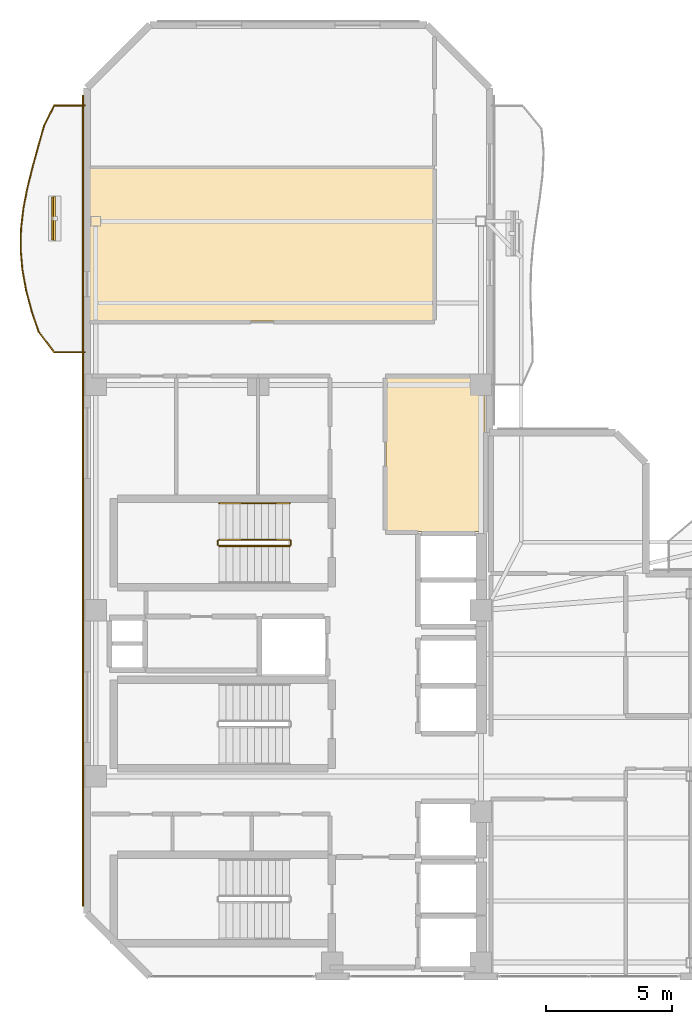
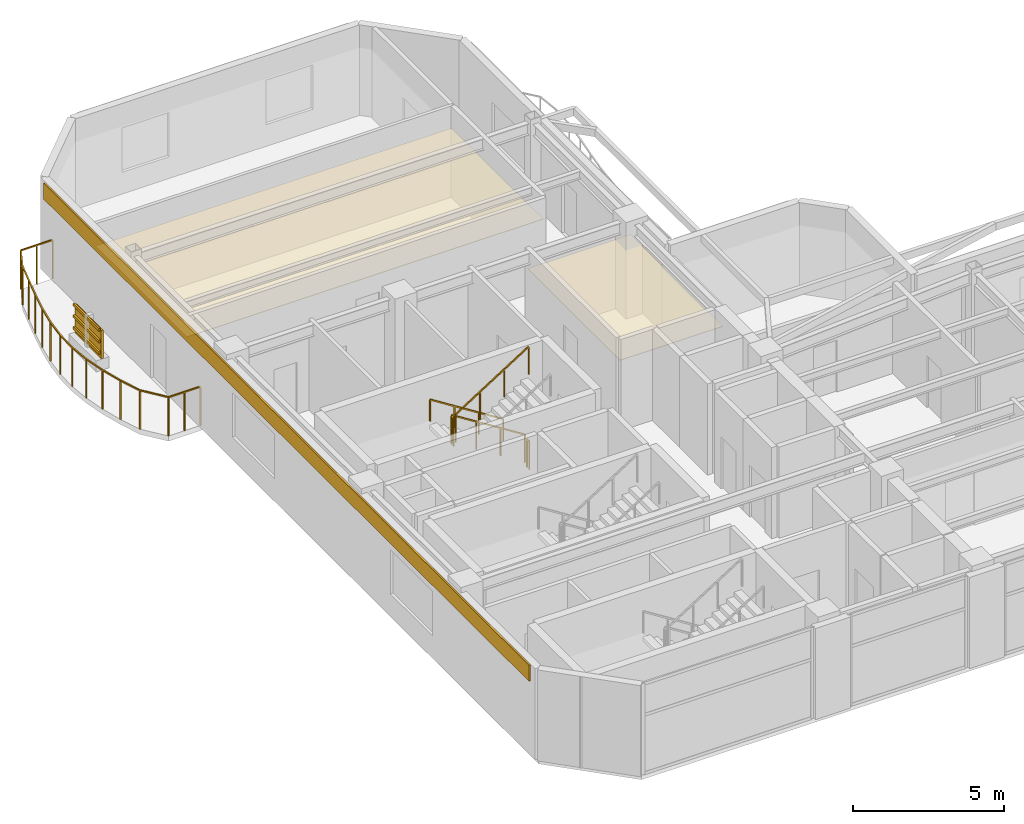
# One storey, part 14 of 15: 6 railings, 4 shading devices, 3 coverings.
"""IFC4 building model written with IfcOpenShell, lengths in metres."""

from ifc_helpers import new_model, si_unit, direction, frame, origin, origin_2d, place, context, subcontext, project, spatial, polyline, rectangle, outline, extrude, material, layer, layer_set, material_profile, profile_set, type_object, element, save


model = new_model("IFC4")

# Units and contexts
model_context = context("Model", 3, precision=1e-05, world=origin(), true_north=direction((0.0, 1.0)))
body_context = subcontext(model_context, "Body", "Model", "MODEL_VIEW")
ifc_project = project(units=[si_unit("LENGTHUNIT", "METRE"), si_unit("AREAUNIT", "SQUARE_METRE"), si_unit("VOLUMEUNIT", "CUBIC_METRE"), si_unit("PLANEANGLEUNIT", "RADIAN"), si_unit("MASSUNIT", "GRAM", prefix="KILO")], contexts=[model_context])

# Site, building, storey
site_placement = place(None, origin())
site = spatial("IfcSite", under=ifc_project, at=site_placement, CompositionType="ELEMENT")
building_placement = place(site_placement, origin())
building = spatial("IfcBuilding", under=site, at=building_placement, Name="Mawjaban Terraces University", CompositionType="ELEMENT")
storey_placement = place(building_placement, frame((0.0, 0.0, 279.39990234375)))
storey = spatial("IfcBuildingStorey", under=building, at=storey_placement, Name="L68", CompositionType="ELEMENT", Elevation=279.39990234375)

# Coverings
ifc_material_1 = material(Name="Acoustic mineral fibre ceiling tile", Category="masonry")
ifc_layer_1 = layer(ifc_material_1, 0.02001953125)
ifc_layer_set_1 = layer_set([ifc_layer_1], Name="Acoustic mineral fibre ceiling tile")
covering_type_1 = type_object("IfcCoveringType", Name="AcousticMineralCeiling_20", PredefinedType="CEILING", material=ifc_layer_set_1)
covering_1_placement = place(storey_placement, frame((0.0, 0.0, 2.75)))
element("IfcCovering", 1, at=covering_1_placement, inside=storey, type_object=covering_type_1, Name="L68 Graduate Research Collaboration Studio Acoustic Ceiling", PredefinedType="CEILING", context=body_context, shape_type="SweptSolid", body=[
    extrude(outline(polyline([(37.820068359375, 17.679931640625), (37.820068359375, 23.820068359375), (33.8798828125, 23.820068359375), (33.8798828125, 17.679931640625), (37.820068359375, 17.679931640625)])), origin(), (0.0, 0.0, 1.0), 0.02001953125),
])
covering_2_placement = place(storey_placement, frame((0.0, 0.0, 2.75)))
element("IfcCovering", 2, at=covering_2_placement, inside=storey, type_object=covering_type_1, Name="L68 Departmental Office 12 Acoustic Ceiling", PredefinedType="CEILING", context=body_context, shape_type="SweptSolid", body=[
    extrude(outline(polyline([(22.114990234375, 32.10595703125), (22.114990234375, 26.030029296875), (35.77001953125, 26.030029296875), (35.77001953125, 32.10595703125), (22.114990234375, 32.10595703125)])), origin(), (0.0, 0.0, 1.0), 0.02001953125),
])

# Railings
ifc_material_2 = material(Name="Galvanised powder-coated steel S355", Category="steel")
railing_type_1 = type_object("IfcRailingType", Name="BalconyBalustrade_1600", PredefinedType="BALUSTRADE", material=ifc_material_2)
railing_1_placement = place(storey_placement, frame((21.919921875, 24.800048828125, 0.0)))
element("IfcRailing", 3, at=railing_1_placement, inside=storey, type_object=railing_type_1, Name="L68 Balcony Guardrail west", PredefinedType="BALUSTRADE", context=body_context, shape_type="SweptSolid", body=[
    extrude(rectangle(XDim=0.048095703125, YDim=0.048095703125, at=origin_2d()), frame((0.0, 0.0, 1.576171875), z_axis=(-1.0, 0.0, 0.0), x_axis=(0.0, -1.0, 0.0)), (0.0, 0.0, 1.0), 1.219970703125),
    extrude(rectangle(XDim=0.048095703125, YDim=0.048095703125, at=origin_2d()), frame((-1.219970703125, 0.0, 1.576171875), z_axis=(-0.607643916951, 0.794209588328, 0.0), x_axis=(-0.794209588328, -0.607643916951, 0.0)), (0.0, 0.0, 1.0), 1.028564453125),
    extrude(rectangle(XDim=0.048095703125, YDim=0.048095703125, at=origin_2d()), frame((-1.844970703125, 0.81689453125, 1.576171875), z_axis=(-0.319202789652, 0.947686434998, 0.0), x_axis=(-0.947686434998, -0.319202789652, 0.0)), (0.0, 0.0, 1.0), 0.861328125),
    extrude(rectangle(XDim=0.048095703125, YDim=0.048095703125, at=origin_2d()), frame((-2.119873046875, 1.633056640625, 1.576171875), z_axis=(-0.254621331748, 0.967040835445, 0.0), x_axis=(-0.967040835445, -0.254621331748, 0.0)), (0.0, 0.0, 1.0), 0.8447265625),
    extrude(rectangle(XDim=0.048095703125, YDim=0.048095703125, at=origin_2d()), frame((-2.3349609375, 2.449951171875, 1.576171875), z_axis=(-0.179351143094, 0.983785122611, 0.0), x_axis=(-0.983785122611, -0.179351143094, 0.0)), (0.0, 0.0, 1.0), 0.830322265625),
    extrude(rectangle(XDim=0.048095703125, YDim=0.048095703125, at=origin_2d()), frame((-2.48388671875, 3.266845703125, 1.576171875), z_axis=(-0.084352789258, 0.996435952254, 0.0), x_axis=(-0.996435952254, -0.084352789258, 0.0)), (0.0, 0.0, 1.0), 0.819091796875),
    extrude(rectangle(XDim=0.048095703125, YDim=0.048095703125, at=origin_2d()), frame((-2.552978515625, 4.0830078125, 1.576171875), z_axis=(0.017331526681, 0.999849797811, 0.0), x_axis=(-0.999849797811, 0.017331526681, 0.0)), (0.0, 0.0, 1.0), 0.817138671875),
    extrude(rectangle(XDim=0.048095703125, YDim=0.048095703125, at=origin_2d()), frame((-2.538818359375, 4.89990234375, 1.576171875), z_axis=(0.115446380199, 0.993313713435, 0.0), x_axis=(-0.993313713435, 0.115446380199, 0.0)), (0.0, 0.0, 1.0), 0.82275390625),
    extrude(rectangle(XDim=0.048095703125, YDim=0.048095703125, at=origin_2d()), frame((-2.44384765625, 5.717041015625, 1.576171875), z_axis=(0.191199817075, 0.981551134659, 0.0), x_axis=(-0.981551134659, 0.191199817075, 0.0)), (0.0, 0.0, 1.0), 0.831298828125),
    extrude(rectangle(XDim=0.048095703125, YDim=0.048095703125, at=origin_2d()), frame((-2.284912109375, 6.532958984375, 1.576171875), z_axis=(0.24239917503, 0.970176602452, 0.0), x_axis=(-0.970176602452, 0.24239917503, 0.0)), (0.0, 0.0, 1.0), 0.842041015625),
    extrude(rectangle(XDim=0.048095703125, YDim=0.048095703125, at=origin_2d()), frame((-2.080810546875, 7.349853515625, 1.576171875), z_axis=(0.265310472902, 0.964163032359, 0.0), x_axis=(-0.964163032359, 0.265310472902, 0.0)), (0.0, 0.0, 1.0), 0.847412109375),
    extrude(rectangle(XDim=0.048095703125, YDim=0.048095703125, at=origin_2d()), frame((-1.85595703125, 8.1669921875, 1.576171875), z_axis=(0.270228279677, 0.962796280042, 0.0), x_axis=(-0.962796280042, 0.270228279677, 0.0)), (0.0, 0.0, 1.0), 0.847412109375),
    extrude(rectangle(XDim=0.048095703125, YDim=0.048095703125, at=origin_2d()), frame((-1.626953125, 8.98291015625, 1.576171875), z_axis=(0.445822367278, 0.895121453678, 0.0), x_axis=(-0.895121453678, 0.445822367278, 0.0)), (0.0, 0.0, 1.0), 0.912841796875),
    extrude(rectangle(XDim=0.048095703125, YDim=0.048095703125, at=origin_2d()), frame((-1.219970703125, 9.800048828125, 1.576171875), z_axis=(1.0, 0.0, 0.0), x_axis=(0.0, 1.0, 0.0)), (0.0, 0.0, 1.0), 1.219970703125),
    extrude(rectangle(XDim=0.0419921875, YDim=0.0419921875, at=origin_2d()), origin(), (0.0, 0.0, 1.0), 1.552001953125),
    extrude(rectangle(XDim=0.0419921875, YDim=0.0419921875, at=origin_2d()), frame((-0.60986328125, 0.0, 0.0)), (0.0, 0.0, 1.0), 1.552001953125),
    extrude(rectangle(XDim=0.0419921875, YDim=0.0419921875, at=origin_2d()), frame((-1.219970703125, 0.0, 0.0)), (0.0, 0.0, 1.0), 1.552001953125),
    extrude(rectangle(XDim=0.0419921875, YDim=0.0419921875, at=origin_2d()), frame((-1.844970703125, 0.81689453125, 0.0)), (0.0, 0.0, 1.0), 1.552001953125),
    extrude(rectangle(XDim=0.0419921875, YDim=0.0419921875, at=origin_2d()), frame((-2.119873046875, 1.633056640625, 0.0)), (0.0, 0.0, 1.0), 1.552001953125),
    extrude(rectangle(XDim=0.0419921875, YDim=0.0419921875, at=origin_2d()), frame((-2.3349609375, 2.449951171875, 0.0)), (0.0, 0.0, 1.0), 1.552001953125),
    extrude(rectangle(XDim=0.0419921875, YDim=0.0419921875, at=origin_2d()), frame((-2.48388671875, 3.266845703125, 0.0)), (0.0, 0.0, 1.0), 1.552001953125),
    extrude(rectangle(XDim=0.0419921875, YDim=0.0419921875, at=origin_2d()), frame((-2.552978515625, 4.0830078125, 0.0)), (0.0, 0.0, 1.0), 1.552001953125),
    extrude(rectangle(XDim=0.0419921875, YDim=0.0419921875, at=origin_2d()), frame((-2.538818359375, 4.89990234375, 0.0)), (0.0, 0.0, 1.0), 1.552001953125),
    extrude(rectangle(XDim=0.0419921875, YDim=0.0419921875, at=origin_2d()), frame((-2.44384765625, 5.717041015625, 0.0)), (0.0, 0.0, 1.0), 1.552001953125),
    extrude(rectangle(XDim=0.0419921875, YDim=0.0419921875, at=origin_2d()), frame((-2.284912109375, 6.532958984375, 0.0)), (0.0, 0.0, 1.0), 1.552001953125),
    extrude(rectangle(XDim=0.0419921875, YDim=0.0419921875, at=origin_2d()), frame((-2.080810546875, 7.349853515625, 0.0)), (0.0, 0.0, 1.0), 1.552001953125),
    extrude(rectangle(XDim=0.0419921875, YDim=0.0419921875, at=origin_2d()), frame((-1.85595703125, 8.1669921875, 0.0)), (0.0, 0.0, 1.0), 1.552001953125),
    extrude(rectangle(XDim=0.0419921875, YDim=0.0419921875, at=origin_2d()), frame((-1.626953125, 8.98291015625, 0.0)), (0.0, 0.0, 1.0), 1.552001953125),
    extrude(rectangle(XDim=0.0419921875, YDim=0.0419921875, at=origin_2d()), frame((-1.219970703125, 9.800048828125, 0.0)), (0.0, 0.0, 1.0), 1.552001953125),
    extrude(rectangle(XDim=0.0419921875, YDim=0.0419921875, at=origin_2d()), frame((-0.60986328125, 9.800048828125, 0.0)), (0.0, 0.0, 1.0), 1.552001953125),
    extrude(rectangle(XDim=0.0419921875, YDim=0.0419921875, at=origin_2d()), frame((0.0, 9.800048828125, 0.0)), (0.0, 0.0, 1.0), 1.552001953125),
])
ifc_material_3 = material(Name="Brushed stainless steel 316", Category="steel")
railing_type_2 = type_object("IfcRailingType", Name="StairWallHandrail_900", PredefinedType="HANDRAIL", material=ifc_material_3)
railing_2_placement = place(storey_placement, frame((30.050048828125, 18.800048828125, 0.177490234375)))
element("IfcRailing", 4, at=railing_2_placement, inside=storey, type_object=railing_type_2, Name="L68 ST-2 stair handrail 1", PredefinedType="HANDRAIL", context=body_context, shape_type="SweptSolid", body=[
    extrude(rectangle(XDim=0.048095703125, YDim=0.048095703125, at=origin_2d()), frame((0.0, 0.0, 0.8759765625), z_axis=(-0.844908973607, 0.0, 0.534910110503), x_axis=(0.0, -1.0, 0.0)), (0.0, 0.0, 1.0), 3.31396484375),
    extrude(rectangle(XDim=0.0419921875, YDim=0.0419921875, at=origin_2d()), origin(), (0.0, 0.0, 1.0), 0.851806640625),
    extrude(rectangle(XDim=0.0419921875, YDim=0.0419921875, at=origin_2d()), frame((-0.933349609375, 0.0, 0.5908203125)), (0.0, 0.0, 1.0), 0.851806640625),
    extrude(rectangle(XDim=0.0419921875, YDim=0.0419921875, at=origin_2d()), frame((-1.86669921875, 0.0, 1.181884765625)), (0.0, 0.0, 1.0), 0.851806640625),
    extrude(rectangle(XDim=0.0419921875, YDim=0.0419921875, at=origin_2d()), frame((-2.800048828125, 0.0, 1.772705078125)), (0.0, 0.0, 1.0), 0.851806640625),
])
ifc_material_4 = material(Name="Galvanised painted steel S355", Category="steel")
railing_type_3 = type_object("IfcRailingType", Name="StairWellGuard_1150", PredefinedType="BALUSTRADE", material=ifc_material_4)
railing_3_placement = place(storey_placement, frame((30.050048828125, 17.35009765625, 0.177490234375)))
element("IfcRailing", 5, at=railing_3_placement, inside=storey, type_object=railing_type_3, Name="L68 ST-2 stair guard 1", PredefinedType="BALUSTRADE", context=body_context, shape_type="SweptSolid", body=[
    extrude(rectangle(XDim=0.048095703125, YDim=0.048095703125, at=origin_2d()), frame((0.0, 0.0, 1.1259765625), z_axis=(-0.844908973607, 0.0, 0.534910110503), x_axis=(0.0, -1.0, 0.0)), (0.0, 0.0, 1.0), 3.31396484375),
    extrude(rectangle(XDim=0.0419921875, YDim=0.0419921875, at=origin_2d()), origin(), (0.0, 0.0, 1.0), 1.101806640625),
    extrude(rectangle(XDim=0.0419921875, YDim=0.0419921875, at=origin_2d()), frame((-0.933349609375, 0.0, 0.5908203125)), (0.0, 0.0, 1.0), 1.101806640625),
    extrude(rectangle(XDim=0.0419921875, YDim=0.0419921875, at=origin_2d()), frame((-1.86669921875, 0.0, 1.181884765625)), (0.0, 0.0, 1.0), 1.101806640625),
    extrude(rectangle(XDim=0.0419921875, YDim=0.0419921875, at=origin_2d()), frame((-2.800048828125, 0.0, 1.772705078125)), (0.0, 0.0, 1.0), 1.101806640625),
])
railing_4_placement = place(storey_placement, frame((27.199951171875, 17.300048828125, 1.9501953125)))
element("IfcRailing", 6, at=railing_4_placement, inside=storey, type_object=railing_type_3, Name="L68 ST-2 stair guard 2", PredefinedType="BALUSTRADE", context=body_context, shape_type="SweptSolid", body=[
    extrude(rectangle(XDim=0.048095703125, YDim=0.048095703125, at=origin_2d()), frame((0.0, 0.0, 1.1259765625), z_axis=(0.0, -1.0, 0.0), x_axis=(1.0, 0.0, 0.0)), (0.0, 0.0, 1.0), 0.150146484375),
    extrude(rectangle(XDim=0.0419921875, YDim=0.0419921875, at=origin_2d()), origin(), (0.0, 0.0, 1.0), 1.101806640625),
    extrude(rectangle(XDim=0.0419921875, YDim=0.0419921875, at=origin_2d()), frame((0.0, -0.150146484375, 0.0)), (0.0, 0.0, 1.0), 1.101806640625),
])
railing_5_placement = place(storey_placement, frame((27.25, 17.10009765625, 2.12744140625)))
element("IfcRailing", 7, at=railing_5_placement, inside=storey, type_object=railing_type_3, Name="L68 ST-2 stair guard 3", PredefinedType="BALUSTRADE", context=body_context, shape_type="SweptSolid", body=[
    extrude(rectangle(XDim=0.048095703125, YDim=0.048095703125, at=origin_2d()), frame((0.0, 0.0, 1.1259765625), z_axis=(0.844908973607, 0.0, 0.534910110503), x_axis=(0.0, 1.0, 0.0)), (0.0, 0.0, 1.0), 3.31396484375),
    extrude(rectangle(XDim=0.0419921875, YDim=0.0419921875, at=origin_2d()), origin(), (0.0, 0.0, 1.0), 1.101806640625),
    extrude(rectangle(XDim=0.0419921875, YDim=0.0419921875, at=origin_2d()), frame((0.933349609375, 0.0, 0.5908203125)), (0.0, 0.0, 1.0), 1.101806640625),
    extrude(rectangle(XDim=0.0419921875, YDim=0.0419921875, at=origin_2d()), frame((1.86669921875, 0.0, 1.181884765625)), (0.0, 0.0, 1.0), 1.101806640625),
    extrude(rectangle(XDim=0.0419921875, YDim=0.0419921875, at=origin_2d()), frame((2.800048828125, 0.0, 1.772705078125)), (0.0, 0.0, 1.0), 1.101806640625),
])
railing_6_placement = place(storey_placement, frame((30.10009765625, 17.300048828125, 0.0)))
element("IfcRailing", 8, at=railing_6_placement, inside=storey, type_object=railing_type_3, Name="L68 ST-2 stair guard 4", PredefinedType="BALUSTRADE", context=body_context, shape_type="SweptSolid", body=[
    extrude(rectangle(XDim=0.048095703125, YDim=0.048095703125, at=origin_2d()), frame((0.0, 0.0, 1.1259765625), z_axis=(0.0, -1.0, 0.0), x_axis=(1.0, 0.0, 0.0)), (0.0, 0.0, 1.0), 0.150146484375),
    extrude(rectangle(XDim=0.0419921875, YDim=0.0419921875, at=origin_2d()), origin(), (0.0, 0.0, 1.0), 1.101806640625),
    extrude(rectangle(XDim=0.0419921875, YDim=0.0419921875, at=origin_2d()), frame((0.0, -0.150146484375, 0.0)), (0.0, 0.0, 1.0), 1.101806640625),
])

# Shading devices
ifc_material_5 = material(Name="Glazed architectural terracotta ceramic", Category="masonry")
ifc_material_profile = material_profile(ifc_material_5, rectangle(XDim=0.06494140625, YDim=0.110107421875, at=origin_2d()), Name="TBAG110X65")
ifc_profile_set = profile_set([ifc_material_profile], Name="Glazed architectural terracotta ceramic")
shading_device_type_1 = type_object("IfcShadingDeviceType", Name="TerracottaBaguette_110x65", PredefinedType="USERDEFINED", material=ifc_profile_set)
for number, where, z_axis, x_axis, name in (
    (9, (20.634033203125, 29.258056640625, 0.68017578125), (0.0, 1.0, 0.0), (-1.0, 0.0, 0.0), "L68 Horizontal Terracotta Baguette west.1"),
    (10, (20.634033203125, 29.258056640625, 1.150146484375), (0.0, 1.0, 0.0), (-1.0, 0.0, 0.0), "L68 Horizontal Terracotta Baguette west.2"),
    (11, (20.634033203125, 29.258056640625, 1.6201171875), (0.0, 1.0, 0.0), (-1.0, 0.0, 0.0), "L68 Horizontal Terracotta Baguette west.3"),
):
    element("IfcShadingDevice", number, at=place(storey_placement, frame(where, z_axis=z_axis, x_axis=x_axis)), inside=storey, type_object=shading_device_type_1, Name=name, ObjectType="BAGUETTE", PredefinedType="USERDEFINED", context=body_context, shape_type="SweptSolid", body=[
        extrude(rectangle(XDim=0.06494140625, YDim=0.110107421875, at=origin_2d()), origin(), (0.0, 0.0, 1.0), 1.699951171875),
    ])
ifc_layer_2 = layer(ifc_material_5, 0.080078125)
ifc_layer_set_2 = layer_set([ifc_layer_2], Name="Glazed architectural terracotta ceramic")
shading_device_type_2 = type_object("IfcShadingDeviceType", Name="TerracottaScreen_Perforated", PredefinedType="USERDEFINED", material=ifc_layer_set_2)
shading_device_placement = place(storey_placement, frame((20.718994140625, 30.10791015625, 0.440185546875), z_axis=(0.0, 0.0, 1.0), x_axis=(0.0, 1.0, 0.0)))
element("IfcShadingDevice", 12, at=shading_device_placement, inside=storey, type_object=shading_device_type_2, Name="L68 Balcony Perforated Terracotta Screen west", ObjectType="SCREEN", PredefinedType="USERDEFINED", context=body_context, shape_type="SweptSolid", body=[
    extrude(rectangle(XDim=1.75, YDim=0.080078125, at=origin_2d()), origin(), (0.0, 0.0, 1.0), 1.14990234375),
])

# Covering
ifc_material_6 = material(Name="Glazed architectural terracotta rainscreen", Category="masonry")
ifc_layer_3 = layer(ifc_material_6, 0.06005859375)
ifc_layer_set_3 = layer_set([ifc_layer_3], Name="Glazed architectural terracotta rainscreen")
covering_type_2 = type_object("IfcCoveringType", Name="TerracottaSpandrelCladding_60", PredefinedType="CLADDING", material=ifc_layer_set_3)
covering_3_placement = place(storey_placement, frame((21.8369140625, 18.89990234375, 3.01513671875), z_axis=(0.0, 0.0, 1.0), x_axis=(0.0, -1.0, 0.0)))
element("IfcCovering", 13, at=covering_3_placement, inside=storey, type_object=covering_type_2, Name="L68 Terracotta Spandrel Cladding 13", PredefinedType="CLADDING", context=body_context, shape_type="SweptSolid", body=[
    extrude(rectangle(XDim=32.199951171875, YDim=0.06005859375, at=origin_2d()), origin(), (0.0, 0.0, 1.0), 0.64990234375),
])

save(model, "model.ifc")
